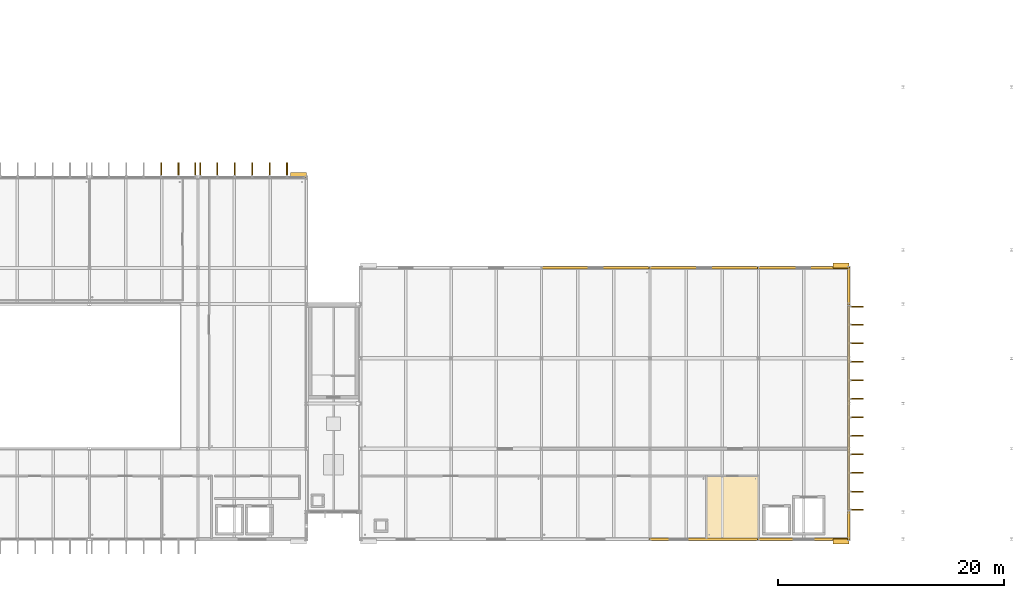
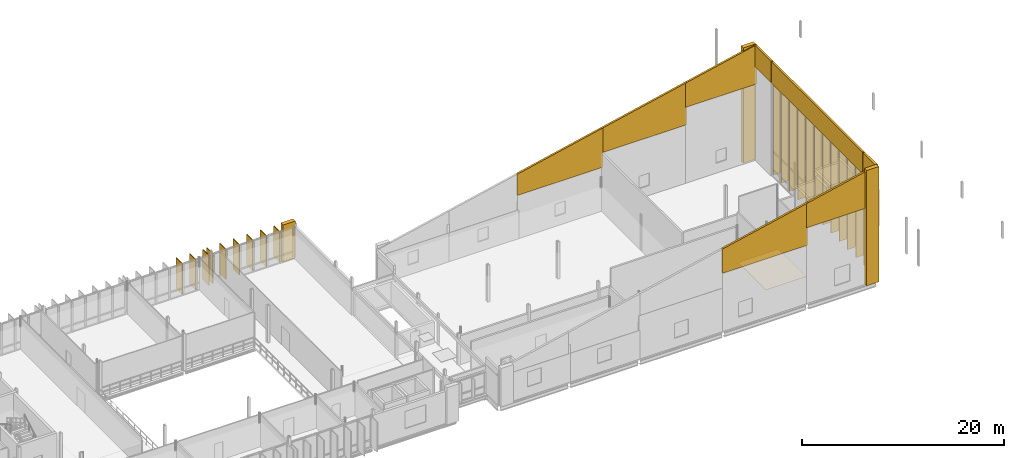
# One storey, part 59 of 59: 33 coverings.
"""IFC4 building model written with IfcOpenShell, lengths in metres."""

from ifc_helpers import new_model, si_unit, direction, frame, origin, origin_2d, place, context, subcontext, project, spatial, polyline, rectangle, outline, extrude, material, layer, layer_set, type_object, element, save


model = new_model("IFC4")

# Units and contexts
model_context = context("Model", 3, precision=1e-05, world=origin(), true_north=direction((0.0, 1.0)))
body_context = subcontext(model_context, "Body", "Model", "MODEL_VIEW")
ifc_project = project(units=[si_unit("LENGTHUNIT", "METRE"), si_unit("AREAUNIT", "SQUARE_METRE"), si_unit("VOLUMEUNIT", "CUBIC_METRE"), si_unit("PLANEANGLEUNIT", "RADIAN"), si_unit("MASSUNIT", "GRAM", prefix="KILO")], contexts=[model_context])

# Site, building, storey
site_placement = place(None, origin())
site = spatial("IfcSite", under=ifc_project, at=site_placement, CompositionType="ELEMENT")
building_placement = place(site_placement, origin())
building = spatial("IfcBuilding", under=site, at=building_placement, Name="Dunescarp Central Library", CompositionType="ELEMENT")
storey_placement = place(building_placement, frame((0.0, 0.0, 18.60009765625)))
storey = spatial("IfcBuildingStorey", under=building, at=storey_placement, Name="L04", CompositionType="ELEMENT", Elevation=18.60009765625)

# Coverings
ifc_material_1 = material(Name="Mineral-fibre acoustic ceiling tile")
ifc_layer_1 = layer(ifc_material_1, 0.0400390625)
ifc_layer_set_1 = layer_set([ifc_layer_1], Name="Mineral-fibre acoustic ceiling tile")
covering_type_1 = type_object("IfcCoveringType", Name="ARC-COV-CEIL40", PredefinedType="CEILING", material=ifc_layer_set_1)
covering_1_placement = place(storey_placement, frame((0.0, 0.0, 3.0498046875)))
element("IfcCovering", 1, at=covering_1_placement, inside=storey, type_object=covering_type_1, Name="L04 ceiling Stacks Wing WC", PredefinedType="CEILING", context=body_context, shape_type="SweptSolid", body=[
    extrude(outline(polyline([(112.179931640625, 4.919921875), (116.820068359375, 4.919921875), (116.820068359375, 10.419921875), (112.179931640625, 10.419921875), (112.179931640625, 4.919921875)])), origin(), (0.0, 0.0, 1.0), 0.0400390625),
])
ifc_material_2 = material(Name="Glass-fibre reinforced concrete GRC", Category="concrete")
ifc_layer_2 = layer(ifc_material_2, 0.219970703125)
ifc_layer_set_2 = layer_set([ifc_layer_2], Name="Glass-fibre reinforced concrete GRC")
covering_type_2 = type_object("IfcCoveringType", Name="ARC-COV-CLER", PredefinedType="CLADDING", material=ifc_layer_set_2)
covering_2_placement = place(storey_placement, frame((116.885009765625, 4.800048828125, 7.02392578125), z_axis=(0.0, 0.0, 1.0), x_axis=(-1.0, 0.0, 0.0)))
element("IfcCovering", 2, at=covering_2_placement, inside=storey, type_object=covering_type_2, Name="L04 V3 raked clerestory closure CLR-V3-L04-051", PredefinedType="CLADDING", context=body_context, shape_type="SweptSolid", body=[
    extrude(outline(polyline([(0.0, 0.0), (9.77001953125, 0.0), (9.77001953125, 2.924072265625), (0.0, 5.094970703125), (0.0, 0.0)])), frame((0.0, 0.10986328125, 0.0), z_axis=(0.0, -1.0, 0.0), x_axis=(1.0, 0.0, 0.0)), (0.0, 0.0, 1.0), 0.219970703125),
])
covering_3_placement = place(storey_placement, frame((124.885009765625, 4.800048828125, 9.156982421875), z_axis=(0.0, 0.0, 1.0), x_axis=(-1.0, 0.0, 0.0)))
element("IfcCovering", 3, at=covering_3_placement, inside=storey, type_object=covering_type_2, Name="L04 V3 raked clerestory closure CLR-V3-L04-052", PredefinedType="CLADDING", context=body_context, shape_type="SweptSolid", body=[
    extrude(outline(polyline([(0.0, 0.0), (8.169921875, 0.0), (8.169921875, 2.923828125), (0.0, 4.739013671875), (0.0, 0.0)])), frame((0.0, 0.10986328125, 0.0), z_axis=(0.0, -1.0, 0.0), x_axis=(1.0, 0.0, 0.0)), (0.0, 0.0, 1.0), 0.219970703125),
])
covering_4_placement = place(storey_placement, frame((97.514892578125, 28.800048828125, 5.245849609375), z_axis=(0.0, 0.0, 1.0), x_axis=(1.0, 0.0, 0.0)))
element("IfcCovering", 4, at=covering_4_placement, inside=storey, type_object=covering_type_2, Name="L04 V3 raked clerestory closure CLR-V3-L04-055", PredefinedType="CLADDING", context=body_context, shape_type="SweptSolid", body=[
    extrude(outline(polyline([(0.0, 0.0), (9.77001953125, 0.0), (9.77001953125, 4.739013671875), (0.0, 2.568115234375), (0.0, 0.0)])), frame((0.0, 0.10986328125, 0.0), z_axis=(0.0, -1.0, 0.0), x_axis=(1.0, 0.0, 0.0)), (0.0, 0.0, 1.0), 0.219970703125),
])
covering_5_placement = place(storey_placement, frame((107.114990234375, 28.800048828125, 7.02392578125), z_axis=(0.0, 0.0, 1.0), x_axis=(1.0, 0.0, 0.0)))
element("IfcCovering", 5, at=covering_5_placement, inside=storey, type_object=covering_type_2, Name="L04 V3 raked clerestory closure CLR-V3-L04-056", PredefinedType="CLADDING", context=body_context, shape_type="SweptSolid", body=[
    extrude(outline(polyline([(0.0, 0.0), (9.77001953125, 0.0), (9.77001953125, 5.094970703125), (0.0, 2.924072265625), (0.0, 0.0)])), frame((0.0, 0.10986328125, 0.0), z_axis=(0.0, -1.0, 0.0), x_axis=(1.0, 0.0, 0.0)), (0.0, 0.0, 1.0), 0.219970703125),
])
covering_6_placement = place(storey_placement, frame((116.715087890625, 28.800048828125, 9.156982421875), z_axis=(0.0, 0.0, 1.0), x_axis=(1.0, 0.0, 0.0)))
element("IfcCovering", 6, at=covering_6_placement, inside=storey, type_object=covering_type_2, Name="L04 V3 raked clerestory closure CLR-V3-L04-057", PredefinedType="CLADDING", context=body_context, shape_type="SweptSolid", body=[
    extrude(outline(polyline([(0.0, 0.0), (8.169921875, 0.0), (8.169921875, 4.739013671875), (0.0, 2.923828125), (0.0, 0.0)])), frame((0.0, 0.10986328125, 0.0), z_axis=(0.0, -1.0, 0.0), x_axis=(1.0, 0.0, 0.0)), (0.0, 0.0, 1.0), 0.219970703125),
])
covering_7_placement = place(storey_placement, frame((124.800048828125, 7.284912109375, 11.291015625), z_axis=(0.0, 0.0, 1.0), x_axis=(0.0, -1.0, 0.0)))
element("IfcCovering", 7, at=covering_7_placement, inside=storey, type_object=covering_type_2, Name="L04 V3 raked clerestory closure CLR-V3-L04-060", PredefinedType="CLADDING", context=body_context, shape_type="SweptSolid", body=[
    extrude(outline(polyline([(0.0, 0.0), (2.56982421875, 0.0), (2.570068359375, 2.5869140625), (0.0, 2.5869140625), (0.0, 0.0)])), frame((0.0, 0.10986328125, 0.0), z_axis=(0.0, -1.0, 0.0), x_axis=(1.0, 0.0, 0.0)), (0.0, 0.0, 1.0), 0.219970703125),
])
covering_8_placement = place(storey_placement, frame((124.800048828125, 28.885009765625, 11.291015625), z_axis=(0.0, 0.0, 1.0), x_axis=(0.0, -1.0, 0.0)))
element("IfcCovering", 8, at=covering_8_placement, inside=storey, type_object=covering_type_2, Name="L04 V3 raked clerestory closure CLR-V3-L04-061", PredefinedType="CLADDING", context=body_context, shape_type="SweptSolid", body=[
    extrude(outline(polyline([(0.0, 0.0), (3.3701171875, 0.0), (3.3701171875, 2.5869140625), (0.0, 2.5869140625), (0.0, 0.0)])), frame((0.0, 0.10986328125, 0.0), z_axis=(0.0, -1.0, 0.0), x_axis=(1.0, 0.0, 0.0)), (0.0, 0.0, 1.0), 0.219970703125),
])
covering_9_placement = place(storey_placement, frame((124.800048828125, 25.425048828125, 11.291015625), z_axis=(0.0, 0.0, 1.0), x_axis=(0.0, -1.0, 0.0)))
element("IfcCovering", 9, at=covering_9_placement, inside=storey, type_object=covering_type_2, Name="L04 V3 raked clerestory closure CLR-V3-L04-062", PredefinedType="CLADDING", context=body_context, shape_type="SweptSolid", body=[
    extrude(outline(polyline([(0.0, 0.0), (18.050048828125, 0.0), (18.050048828125, 2.5869140625), (0.0, 2.5869140625), (0.0, 0.0)])), frame((0.0, 0.10986328125, 0.0), z_axis=(0.0, -1.0, 0.0), x_axis=(1.0, 0.0, 0.0)), (0.0, 0.0, 1.0), 0.219970703125),
])
ifc_layer_3 = layer(ifc_material_2, 0.090087890625)
ifc_layer_set_3 = layer_set([ifc_layer_3], Name="Glass-fibre reinforced concrete GRC")
covering_type_3 = type_object("IfcCoveringType", Name="ARC-COV-FIN1250", PredefinedType="CLADDING", material=ifc_layer_set_3)
covering_10_placement = place(storey_placement, frame((63.94189453125, 37.4619140625, 0.079833984375), z_axis=(0.0, 0.0, 1.0), x_axis=(0.0, 1.0, 0.0)))
element("IfcCovering", 10, at=covering_10_placement, inside=storey, type_object=covering_type_3, Name="L04 parametric vertical facade fin FIN-L04-0501", PredefinedType="CLADDING", context=body_context, shape_type="SweptSolid", body=[
    extrude(rectangle(XDim=1.25, YDim=0.090087890625, at=origin_2d()), origin(), (0.0, 0.0, 1.0), 3.7080078125),
])
covering_11_placement = place(storey_placement, frame((65.48291015625, 37.4619140625, 0.080078125), z_axis=(0.0, 0.0, 1.0), x_axis=(0.0, 1.0, 0.0)))
element("IfcCovering", 11, at=covering_11_placement, inside=storey, type_object=covering_type_3, Name="L04 parametric vertical facade fin FIN-L04-0502", PredefinedType="CLADDING", context=body_context, shape_type="SweptSolid", body=[
    extrude(rectangle(XDim=1.25, YDim=0.090087890625, at=origin_2d()), origin(), (0.0, 0.0, 1.0), 3.657958984375),
])
covering_12_placement = place(storey_placement, frame((66.985107421875, 37.4619140625, 0.079345703125), z_axis=(0.0, 0.0, 1.0), x_axis=(0.0, 1.0, 0.0)))
element("IfcCovering", 12, at=covering_12_placement, inside=storey, type_object=covering_type_3, Name="L04 parametric vertical facade fin FIN-L04-0503", PredefinedType="CLADDING", context=body_context, shape_type="SweptSolid", body=[
    extrude(rectangle(XDim=1.25, YDim=0.090087890625, at=origin_2d()), origin(), (0.0, 0.0, 1.0), 3.625),
])
covering_13_placement = place(storey_placement, frame((67.4150390625, 37.4619140625, 0.1669921875), z_axis=(0.0, 0.0, 1.0), x_axis=(0.0, 1.0, 0.0)))
element("IfcCovering", 13, at=covering_13_placement, inside=storey, type_object=covering_type_3, Name="L04 parametric vertical facade fin FIN-L04-0504", PredefinedType="CLADDING", context=body_context, shape_type="SweptSolid", body=[
    extrude(rectangle(XDim=1.25, YDim=0.090087890625, at=origin_2d()), origin(), (0.0, 0.0, 1.0), 3.632080078125),
])
covering_14_placement = place(storey_placement, frame((68.9169921875, 37.4619140625, 0.1806640625), z_axis=(0.0, 0.0, 1.0), x_axis=(0.0, 1.0, 0.0)))
element("IfcCovering", 14, at=covering_14_placement, inside=storey, type_object=covering_type_3, Name="L04 parametric vertical facade fin FIN-L04-0505", PredefinedType="CLADDING", context=body_context, shape_type="SweptSolid", body=[
    extrude(rectangle(XDim=1.25, YDim=0.090087890625, at=origin_2d()), origin(), (0.0, 0.0, 1.0), 3.618896484375),
])
covering_15_placement = place(storey_placement, frame((70.4580078125, 37.4619140625, 0.16357421875), z_axis=(0.0, 0.0, 1.0), x_axis=(0.0, 1.0, 0.0)))
element("IfcCovering", 15, at=covering_15_placement, inside=storey, type_object=covering_type_3, Name="L04 parametric vertical facade fin FIN-L04-0506", PredefinedType="CLADDING", context=body_context, shape_type="SweptSolid", body=[
    extrude(rectangle(XDim=1.25, YDim=0.090087890625, at=origin_2d()), origin(), (0.0, 0.0, 1.0), 3.635009765625),
])
covering_16_placement = place(storey_placement, frame((72.0, 37.4619140625, 0.123046875), z_axis=(0.0, 0.0, 1.0), x_axis=(0.0, 1.0, 0.0)))
element("IfcCovering", 16, at=covering_16_placement, inside=storey, type_object=covering_type_3, Name="L04 parametric vertical facade fin FIN-L04-0507", PredefinedType="CLADDING", context=body_context, shape_type="SweptSolid", body=[
    extrude(rectangle(XDim=1.25, YDim=0.090087890625, at=origin_2d()), origin(), (0.0, 0.0, 1.0), 3.676025390625),
])
covering_17_placement = place(storey_placement, frame((73.5419921875, 37.4619140625, 0.079833984375), z_axis=(0.0, 0.0, 1.0), x_axis=(0.0, 1.0, 0.0)))
element("IfcCovering", 17, at=covering_17_placement, inside=storey, type_object=covering_type_3, Name="L04 parametric vertical facade fin FIN-L04-0508", PredefinedType="CLADDING", context=body_context, shape_type="SweptSolid", body=[
    extrude(rectangle(XDim=1.25, YDim=0.090087890625, at=origin_2d()), origin(), (0.0, 0.0, 1.0), 3.7080078125),
])
covering_18_placement = place(storey_placement, frame((75.0830078125, 37.4619140625, 0.080078125), z_axis=(0.0, 0.0, 1.0), x_axis=(0.0, 1.0, 0.0)))
element("IfcCovering", 18, at=covering_18_placement, inside=storey, type_object=covering_type_3, Name="L04 parametric vertical facade fin FIN-L04-0509", PredefinedType="CLADDING", context=body_context, shape_type="SweptSolid", body=[
    extrude(rectangle(XDim=1.25, YDim=0.090087890625, at=origin_2d()), origin(), (0.0, 0.0, 1.0), 3.657958984375),
])
covering_19_placement = place(storey_placement, frame((125.4619140625, 25.385009765625, 0.16748046875), z_axis=(0.0, 0.0, 1.0), x_axis=(1.0, 0.0, 0.0)))
element("IfcCovering", 19, at=covering_19_placement, inside=storey, type_object=covering_type_3, Name="L04 parametric vertical facade fin FIN-L04-0731", PredefinedType="CLADDING", context=body_context, shape_type="SweptSolid", body=[
    extrude(rectangle(XDim=1.25, YDim=0.090087890625, at=origin_2d()), origin(), (0.0, 0.0, 1.0), 11.047119140625),
])
covering_20_placement = place(storey_placement, frame((125.4619140625, 23.783935546875, 0.18017578125), z_axis=(0.0, 0.0, 1.0), x_axis=(1.0, 0.0, 0.0)))
element("IfcCovering", 20, at=covering_20_placement, inside=storey, type_object=covering_type_3, Name="L04 parametric vertical facade fin FIN-L04-0732", PredefinedType="CLADDING", context=body_context, shape_type="SweptSolid", body=[
    extrude(rectangle(XDim=1.25, YDim=0.090087890625, at=origin_2d()), origin(), (0.0, 0.0, 1.0), 11.033935546875),
])
covering_21_placement = place(storey_placement, frame((125.4619140625, 22.14306640625, 0.1640625), z_axis=(0.0, 0.0, 1.0), x_axis=(1.0, 0.0, 0.0)))
element("IfcCovering", 21, at=covering_21_placement, inside=storey, type_object=covering_type_3, Name="L04 parametric vertical facade fin FIN-L04-0733", PredefinedType="CLADDING", context=body_context, shape_type="SweptSolid", body=[
    extrude(rectangle(XDim=1.25, YDim=0.090087890625, at=origin_2d()), origin(), (0.0, 0.0, 1.0), 11.050048828125),
])
covering_22_placement = place(storey_placement, frame((125.4619140625, 20.501953125, 0.12255859375), z_axis=(0.0, 0.0, 1.0), x_axis=(1.0, 0.0, 0.0)))
element("IfcCovering", 22, at=covering_22_placement, inside=storey, type_object=covering_type_3, Name="L04 parametric vertical facade fin FIN-L04-0734", PredefinedType="CLADDING", context=body_context, shape_type="SweptSolid", body=[
    extrude(rectangle(XDim=1.25, YDim=0.090087890625, at=origin_2d()), origin(), (0.0, 0.0, 1.0), 11.091064453125),
])
covering_23_placement = place(storey_placement, frame((125.4619140625, 18.861083984375, 0.080322265625), z_axis=(0.0, 0.0, 1.0), x_axis=(1.0, 0.0, 0.0)))
element("IfcCovering", 23, at=covering_23_placement, inside=storey, type_object=covering_type_3, Name="L04 parametric vertical facade fin FIN-L04-0735", PredefinedType="CLADDING", context=body_context, shape_type="SweptSolid", body=[
    extrude(rectangle(XDim=1.25, YDim=0.090087890625, at=origin_2d()), origin(), (0.0, 0.0, 1.0), 11.123046875),
])
covering_24_placement = place(storey_placement, frame((125.4619140625, 17.219970703125, 0.07958984375), z_axis=(0.0, 0.0, 1.0), x_axis=(1.0, 0.0, 0.0)))
element("IfcCovering", 24, at=covering_24_placement, inside=storey, type_object=covering_type_3, Name="L04 parametric vertical facade fin FIN-L04-0736", PredefinedType="CLADDING", context=body_context, shape_type="SweptSolid", body=[
    extrude(rectangle(XDim=1.25, YDim=0.090087890625, at=origin_2d()), origin(), (0.0, 0.0, 1.0), 11.072998046875),
])
covering_25_placement = place(storey_placement, frame((125.4619140625, 15.580078125, 0.079833984375), z_axis=(0.0, 0.0, 1.0), x_axis=(1.0, 0.0, 0.0)))
element("IfcCovering", 25, at=covering_25_placement, inside=storey, type_object=covering_type_3, Name="L04 parametric vertical facade fin FIN-L04-0737", PredefinedType="CLADDING", context=body_context, shape_type="SweptSolid", body=[
    extrude(rectangle(XDim=1.25, YDim=0.090087890625, at=origin_2d()), origin(), (0.0, 0.0, 1.0), 11.0400390625),
])
covering_26_placement = place(storey_placement, frame((125.4619140625, 13.93896484375, 0.080078125), z_axis=(0.0, 0.0, 1.0), x_axis=(1.0, 0.0, 0.0)))
element("IfcCovering", 26, at=covering_26_placement, inside=storey, type_object=covering_type_3, Name="L04 parametric vertical facade fin FIN-L04-0738", PredefinedType="CLADDING", context=body_context, shape_type="SweptSolid", body=[
    extrude(rectangle(XDim=1.25, YDim=0.090087890625, at=origin_2d()), origin(), (0.0, 0.0, 1.0), 11.035888671875),
])
covering_27_placement = place(storey_placement, frame((125.4619140625, 12.298095703125, 0.079833984375), z_axis=(0.0, 0.0, 1.0), x_axis=(1.0, 0.0, 0.0)))
element("IfcCovering", 27, at=covering_27_placement, inside=storey, type_object=covering_type_3, Name="L04 parametric vertical facade fin FIN-L04-0739", PredefinedType="CLADDING", context=body_context, shape_type="SweptSolid", body=[
    extrude(rectangle(XDim=1.25, YDim=0.090087890625, at=origin_2d()), origin(), (0.0, 0.0, 1.0), 11.06005859375),
])
covering_28_placement = place(storey_placement, frame((125.4619140625, 10.656982421875, 0.079833984375), z_axis=(0.0, 0.0, 1.0), x_axis=(1.0, 0.0, 0.0)))
element("IfcCovering", 28, at=covering_28_placement, inside=storey, type_object=covering_type_3, Name="L04 parametric vertical facade fin FIN-L04-0740", PredefinedType="CLADDING", context=body_context, shape_type="SweptSolid", body=[
    extrude(rectangle(XDim=1.25, YDim=0.090087890625, at=origin_2d()), origin(), (0.0, 0.0, 1.0), 11.10595703125),
])
covering_29_placement = place(storey_placement, frame((125.4619140625, 9.01611328125, 0.10595703125), z_axis=(0.0, 0.0, 1.0), x_axis=(1.0, 0.0, 0.0)))
element("IfcCovering", 29, at=covering_29_placement, inside=storey, type_object=covering_type_3, Name="L04 parametric vertical facade fin FIN-L04-0741", PredefinedType="CLADDING", context=body_context, shape_type="SweptSolid", body=[
    extrude(rectangle(XDim=1.25, YDim=0.090087890625, at=origin_2d()), origin(), (0.0, 0.0, 1.0), 11.10791015625),
])
covering_30_placement = place(storey_placement, frame((125.4619140625, 7.4150390625, 0.1533203125), z_axis=(0.0, 0.0, 1.0), x_axis=(1.0, 0.0, 0.0)))
element("IfcCovering", 30, at=covering_30_placement, inside=storey, type_object=covering_type_3, Name="L04 parametric vertical facade fin FIN-L04-0742", PredefinedType="CLADDING", context=body_context, shape_type="SweptSolid", body=[
    extrude(rectangle(XDim=1.25, YDim=0.090087890625, at=origin_2d()), origin(), (0.0, 0.0, 1.0), 11.06103515625),
])
ifc_layer_4 = layer(ifc_material_2, 0.449951171875)
ifc_layer_set_4 = layer_set([ifc_layer_4], Name="Glass-fibre reinforced concrete GRC")
covering_type_4 = type_object("IfcCoveringType", Name="ARC-COV-PORTAL", PredefinedType="CLADDING", material=ifc_layer_set_4)
covering_31_placement = place(storey_placement, frame((76.10009765625, 37.02001953125, 0.0), z_axis=(0.0, 0.0, 1.0), x_axis=(1.0, 0.0, 0.0)))
element("IfcCovering", 31, at=covering_31_placement, inside=storey, type_object=covering_type_4, Name="V2 sculpted GRC portal pier PRT-BAND-V2-020", PredefinedType="CLADDING", context=body_context, shape_type="SweptSolid", body=[
    extrude(rectangle(XDim=1.39990234375, YDim=0.449951171875, at=origin_2d()), origin(), (0.0, 0.0, 1.0), 4.5),
])
for number, where, z_axis, x_axis, name in (
    (32, (124.10009765625, 4.580078125, 0.0), (0.0, 0.0, 1.0), (1.0, 0.0, 0.0), "V3 sculpted GRC portal pier PRT-BAND-V3-045"),
    (33, (124.10009765625, 29.02001953125, 0.0), (0.0, 0.0, 1.0), (1.0, 0.0, 0.0), "V3 sculpted GRC portal pier PRT-BAND-V3-046"),
):
    element("IfcCovering", number, at=place(storey_placement, frame(where, z_axis=z_axis, x_axis=x_axis)), inside=storey, type_object=covering_type_4, Name=name, PredefinedType="CLADDING", context=body_context, shape_type="SweptSolid", body=[
        extrude(rectangle(XDim=1.39990234375, YDim=0.449951171875, at=origin_2d()), origin(), (0.0, 0.0, 1.0), 13.944091796875),
    ])

save(model, "model.ifc")
